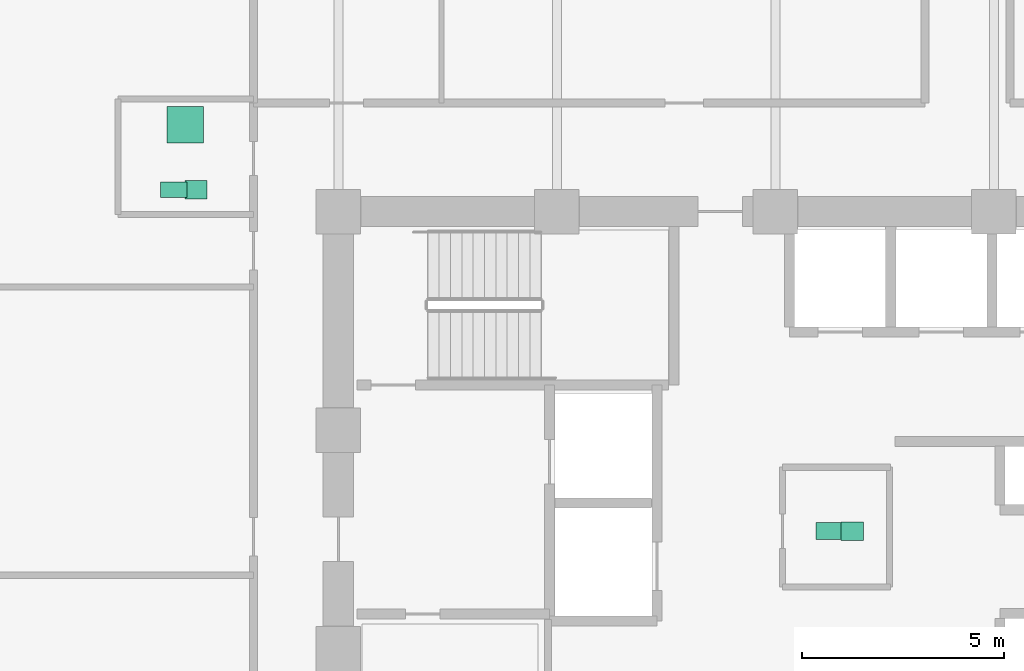
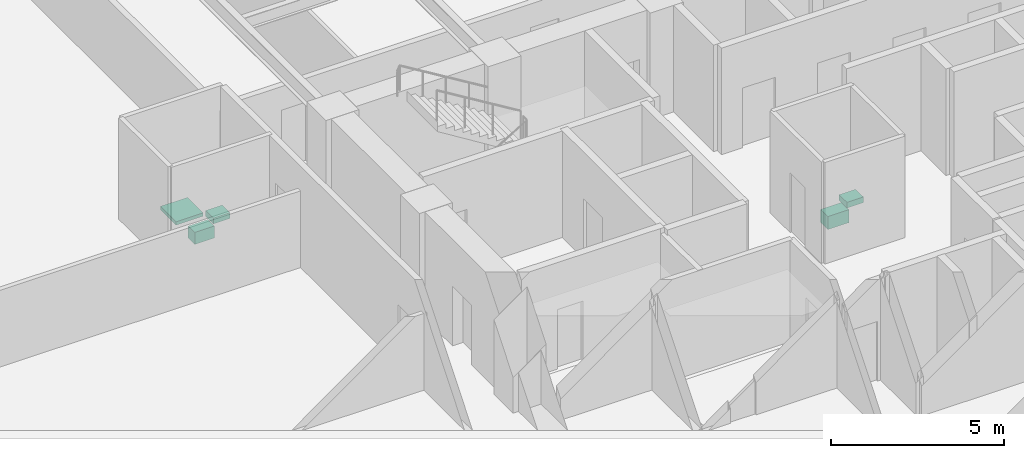
# One storey, part 26 of 26: 5 sanitary terminals.
"""IFC4 building model written with IfcOpenShell, lengths in metres."""

from ifc_helpers import new_model, si_unit, direction, frame, origin, origin_2d, place, context, subcontext, project, spatial, rectangle, extrude, material, type_object, element, save


model = new_model("IFC4")

# Units and contexts
model_context = context("Model", 3, precision=1e-05, world=origin(), true_north=direction((0.0, 1.0)))
body_context = subcontext(model_context, "Body", "Model", "MODEL_VIEW")
ifc_project = project(units=[si_unit("LENGTHUNIT", "METRE"), si_unit("AREAUNIT", "SQUARE_METRE"), si_unit("VOLUMEUNIT", "CUBIC_METRE"), si_unit("PLANEANGLEUNIT", "RADIAN"), si_unit("MASSUNIT", "GRAM", prefix="KILO")], contexts=[model_context])

# Site, building, storey
site_placement = place(None, origin())
site = spatial("IfcSite", under=ifc_project, at=site_placement, CompositionType="ELEMENT")
building_placement = place(site_placement, origin())
building = spatial("IfcBuilding", under=site, at=building_placement, Name="Surkhivell Harbour Commons", CompositionType="ELEMENT")
storey_placement = place(building_placement, frame((0.0, 0.0, 102.0)))
storey = spatial("IfcBuildingStorey", under=building, at=storey_placement, Name="L26", CompositionType="ELEMENT", Elevation=102.0)

# Sanitary terminals
ifc_material_1 = material(Name="Vitreous china washbasin", Category="other")
sanitary_terminal_type_1 = type_object("IfcSanitaryTerminalType", Name="SAN-BSN", PredefinedType="WASHHANDBASIN", material=ifc_material_1)
for number, where, z_axis, x_axis, name in (
    (1, (1.89990234375, 2.89990234375, 0.72021484375), (0.0, 0.0, 1.0), (1.0, 0.0, 0.0), "L26 Core Accessible WC Washbasin"),
    (2, (-14.320068359375, 11.340087890625, 0.72021484375), (0.0, 0.0, 1.0), (1.0, 0.0, 0.0), "L26 West Communal Bathroom WC Washbasin"),
):
    element("IfcSanitaryTerminal", number, at=place(storey_placement, frame(where, z_axis=z_axis, x_axis=x_axis)), inside=storey, type_object=sanitary_terminal_type_1, Name=name, PredefinedType="WASHHANDBASIN", context=body_context, shape_type="SweptSolid", body=[
        extrude(rectangle(XDim=0.550048828125, YDim=0.449951171875, at=origin_2d()), origin(), (0.0, 0.0, 1.0), 0.199951171875),
    ])
ifc_material_2 = material(Name="Glazed porcelain shower tray", Category="other")
sanitary_terminal_type_2 = type_object("IfcSanitaryTerminalType", Name="SAN-SHW", PredefinedType="SHOWER", material=ifc_material_2)
sanitary_terminal_1_placement = place(storey_placement, frame((-14.590087890625, 12.93994140625, 0.0), z_axis=(0.0, 0.0, 1.0), x_axis=(1.0, 0.0, 0.0)))
element("IfcSanitaryTerminal", 3, at=sanitary_terminal_1_placement, inside=storey, type_object=sanitary_terminal_type_2, Name="L26 West Communal Shower Tray", PredefinedType="SHOWER", context=body_context, shape_type="SweptSolid", body=[
    extrude(rectangle(XDim=0.89990234375, YDim=0.89990234375, at=origin_2d()), origin(), (0.0, 0.0, 1.0), 0.1201171875),
])
ifc_material_3 = material(Name="Vitreous china sanitaryware", Category="other")
sanitary_terminal_type_3 = type_object("IfcSanitaryTerminalType", Name="SAN-WC-ACC", PredefinedType="TOILETPAN", material=ifc_material_3)
sanitary_terminal_2_placement = place(storey_placement, frame((1.35009765625, 2.89990234375, 0.169921875), z_axis=(0.0, 0.0, 1.0), x_axis=(1.0, 0.0, 0.0)))
element("IfcSanitaryTerminal", 4, at=sanitary_terminal_2_placement, inside=storey, type_object=sanitary_terminal_type_3, Name="L26 Core Accessible WC", PredefinedType="TOILETPAN", context=body_context, shape_type="SweptSolid", body=[
    extrude(rectangle(XDim=0.699951171875, YDim=0.419921875, at=origin_2d()), origin(), (0.0, 0.0, 1.0), 0.4599609375),
])
sanitary_terminal_type_4 = type_object("IfcSanitaryTerminalType", Name="SAN-WC-STD", PredefinedType="TOILETPAN", material=ifc_material_3)
sanitary_terminal_3_placement = place(storey_placement, frame((-14.8701171875, 11.340087890625, 0.18994140625), z_axis=(0.0, 0.0, 1.0), x_axis=(1.0, 0.0, 0.0)))
element("IfcSanitaryTerminal", 5, at=sanitary_terminal_3_placement, inside=storey, type_object=sanitary_terminal_type_4, Name="L26 West Communal Bathroom WC", PredefinedType="TOILETPAN", context=body_context, shape_type="SweptSolid", body=[
    extrude(rectangle(XDim=0.64990234375, YDim=0.3798828125, at=origin_2d()), origin(), (0.0, 0.0, 1.0), 0.419921875),
])

save(model, "model.ifc")
